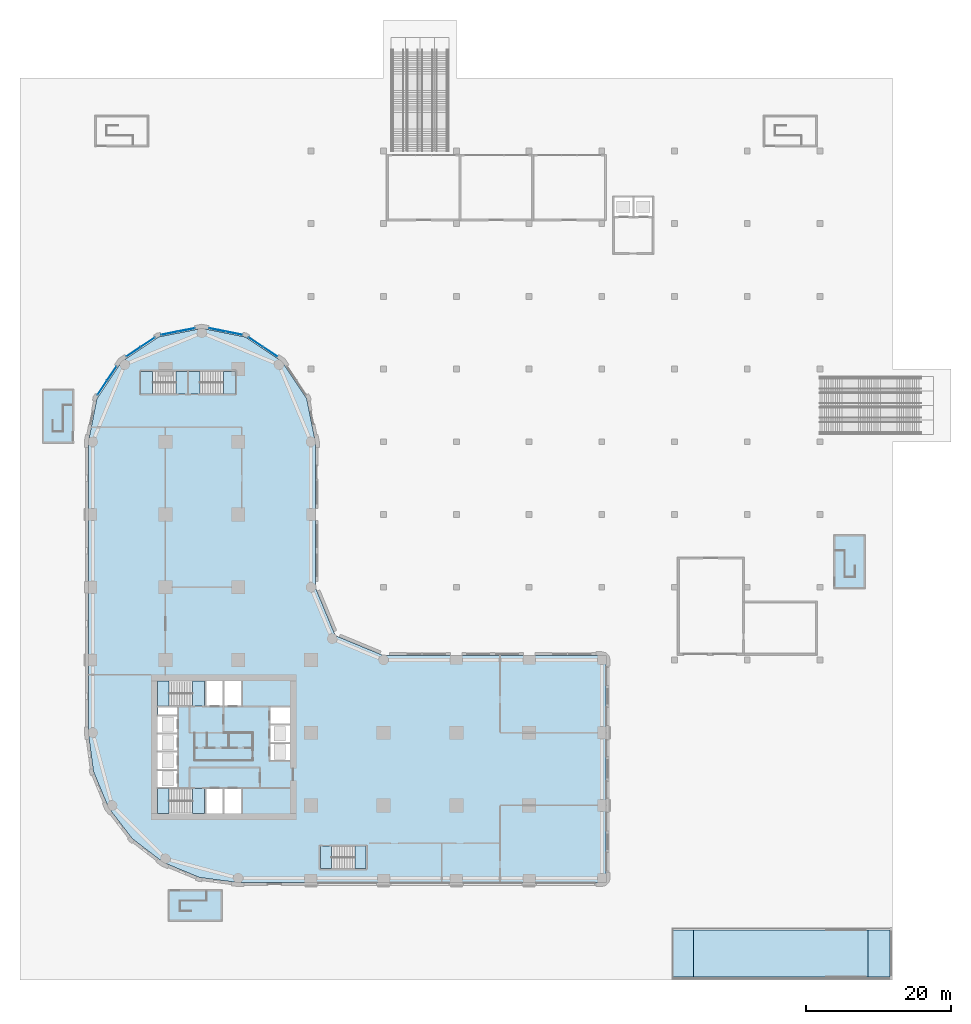
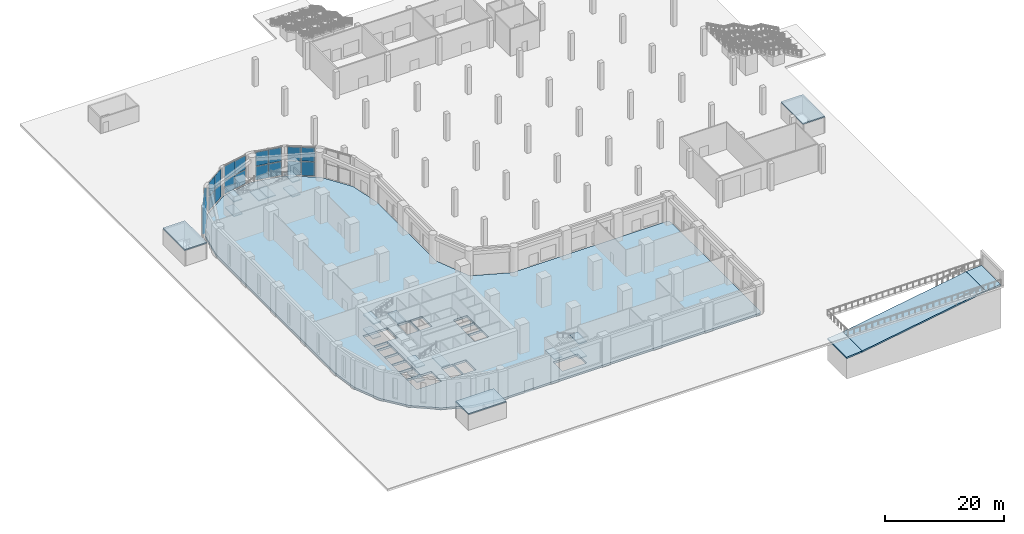
# One storey, part 4 of 21: 22 slabs, 20 plates, 10 elements without a shape of their own.
"""IFC4 building model written with IfcOpenShell, lengths in metres."""

import ifcopenshell
import ifcopenshell.guid

model = None  # the IFC model being written
_history = None  # IfcOwnerHistory: only IFC2X3 demands one
_inside = {}  # id of a spatial element -> (the spatial element, [elements in it])
_under = {}  # id of a project, library or spatial element -> (it, [spatial elements below it])
_declared = {}  # id of a project -> (the project, [libraries it declares])
_typed = {}  # id of a type object -> (the type object, [elements of that type])
_made_of = {}  # id of a material, layer set ... -> (it, [elements and type objects made of it])


def new_model(schema):
    """Start an empty IFC model of exactly this schema.

    Asked for "IFC4X3", IfcOpenShell would pick the latest addendum, in which some entities
    have other attributes; the version numbers below select the first issue.
    IFC2X3 requires an IfcOwnerHistory on every rooted entity: one is made here for all.
    """
    global model, _history
    if schema == "IFC4X3":
        model = ifcopenshell.file(schema_version=(4, 3, 0, 0))
    else:
        model = ifcopenshell.file(schema=schema)
    _inside.clear()
    _under.clear()
    _declared.clear()
    _typed.clear()
    _made_of.clear()
    _history = None
    if model.schema == "IFC2X3":
        org = make("IfcOrganization", Name="unknown")
        user = make(
            "IfcPersonAndOrganization",
            ThePerson=make("IfcPerson", FamilyName="unknown"),
            TheOrganization=org,
        )
        app = make(
            "IfcApplication",
            ApplicationDeveloper=org,
            Version="unknown",
            ApplicationFullName="unknown",
            ApplicationIdentifier="unknown",
        )
        _history = make(
            "IfcOwnerHistory",
            OwningUser=user,
            OwningApplication=app,
            ChangeAction="ADDED",
            CreationDate=0,
        )
    return model


def make(cls, **values):
    """One entity of the class cls with the attributes given. An attribute that is None is left unset."""
    return model.create_entity(
        cls, **{name: value for name, value in values.items() if value is not None}
    )


def rooted(cls, **values):
    """An entity with a GlobalId (a new one), such as an element, a storey or a relation."""
    return make(cls, GlobalId=ifcopenshell.guid.new(), OwnerHistory=_history, **values)


def si_unit(unit_type, name, prefix=None):
    """IfcSIUnit, for example si_unit("LENGTHUNIT", "METRE", prefix="MILLI")."""
    return make("IfcSIUnit", UnitType=unit_type, Prefix=prefix, Name=name)


def assignment(units):
    """IfcUnitAssignment: the units of a project."""
    return None if units is None else make("IfcUnitAssignment", Units=units)


def point(xyz):
    """IfcCartesianPoint."""
    return None if xyz is None else make("IfcCartesianPoint", Coordinates=xyz)


def direction(xyz):
    """IfcDirection."""
    return None if xyz is None else make("IfcDirection", DirectionRatios=xyz)


def frame(location, z_axis=None, x_axis=None):
    """IfcAxis2Placement3D, a coordinate frame: its origin and axes. An axis left out is left unset."""
    return make(
        "IfcAxis2Placement3D",
        Location=point(location),
        Axis=direction(z_axis),
        RefDirection=direction(x_axis),
    )


def frame_2d(location, x_axis=None):
    """IfcAxis2Placement2D, a coordinate frame in the plane: its origin and x axis."""
    return make(
        "IfcAxis2Placement2D", Location=point(location), RefDirection=direction(x_axis)
    )


def origin():
    """The frame at (0, 0, 0) with its axes left unset."""
    return frame((0.0, 0.0, 0.0))


def origin_2d():
    """The frame at (0, 0) in the plane with its x axis left unset."""
    return frame_2d((0.0, 0.0))


def place(relative_to, where):
    """IfcLocalPlacement: puts the frame where relative to a parent placement (None: the world)."""
    return make(
        "IfcLocalPlacement", PlacementRelTo=relative_to, RelativePlacement=where
    )


def context(
    kind, dimensions, precision=None, world=None, true_north=None, identifier=None
):
    """IfcGeometricRepresentationContext, for example the 3D "Model" context."""
    return make(
        "IfcGeometricRepresentationContext",
        ContextIdentifier=identifier,
        ContextType=kind,
        CoordinateSpaceDimension=dimensions,
        Precision=precision,
        WorldCoordinateSystem=world,
        TrueNorth=true_north,
    )


def subcontext(parent, identifier, kind, view, scale=None):
    """IfcGeometricRepresentationSubContext, for example "Body" below "Model"."""
    return make(
        "IfcGeometricRepresentationSubContext",
        ContextIdentifier=identifier,
        ContextType=kind,
        ParentContext=parent,
        TargetScale=scale,
        TargetView=view,
    )


def project(units=None, contexts=None):
    """IfcProject with its units and contexts."""
    return rooted(
        "IfcProject",
        Name="project",
        RepresentationContexts=contexts,
        UnitsInContext=assignment(units),
    )


def spatial(cls, under=None, at=None, **own):
    """A site, building, storey or space (cls), placed at a placement, below another one or the project."""
    s = rooted(cls, ObjectPlacement=at, **own)
    if under is not None:
        _under.setdefault(under.id(), (under, []))[1].append(s)
    return s


def polyline(points):
    """IfcPolyline through the points."""
    return make("IfcPolyline", Points=[point(p) for p in points])


def profile(cls, at=None, kind="AREA", **sizes):
    """A parametric profile (cls). Its sizes go by their IFC names, for example OverallWidth=200.0."""
    return make(cls, ProfileType=kind, Position=at, **sizes)


def rectangle(**sizes):
    """IfcRectangleProfileDef."""
    return profile("IfcRectangleProfileDef", **sizes)


def outline(outer, holes=None, kind="AREA"):
    """IfcArbitraryClosedProfileDef: a profile drawn as a closed curve; with holes, ...WithVoids."""
    if holes is None:
        return make("IfcArbitraryClosedProfileDef", ProfileType=kind, OuterCurve=outer)
    return make(
        "IfcArbitraryProfileDefWithVoids",
        ProfileType=kind,
        OuterCurve=outer,
        InnerCurves=holes,
    )


def extrude(swept, where, along, depth):
    """IfcExtrudedAreaSolid: the profile swept, set in the frame where, extruded along a direction by depth."""
    return make(
        "IfcExtrudedAreaSolid",
        SweptArea=swept,
        Position=where,
        ExtrudedDirection=direction(along),
        Depth=depth,
    )


def shape(context_of_items, identifier, shape_type, items):
    """IfcShapeRepresentation: the items that make up one representation, for example the "Body"."""
    return make(
        "IfcShapeRepresentation",
        ContextOfItems=context_of_items,
        RepresentationIdentifier=identifier,
        RepresentationType=shape_type,
        Items=items,
    )


def material(Name=None, Category=None):
    """IfcMaterial."""
    return make("IfcMaterial", Name=Name, Category=Category)


def layer(
    of_material, thickness, ventilated=None, Name=None, Category=None, Priority=None
):
    """IfcMaterialLayer: one layer of a wall or slab, of a material (None: an air gap)."""
    return make(
        "IfcMaterialLayer",
        Material=of_material,
        LayerThickness=thickness,
        IsVentilated=ventilated,
        Name=Name,
        Category=Category,
        Priority=Priority,
    )


def layer_set(layers, Name=None):
    """IfcMaterialLayerSet."""
    return make("IfcMaterialLayerSet", MaterialLayers=layers, LayerSetName=Name)


def made_of(thing, what):
    """Note that an element or type object is made of a material, layer set ...; save() writes the relation."""
    if what is not None:
        _made_of.setdefault(what.id(), (what, []))[1].append(thing)
    return thing


def type_object(cls, material=None, **own):
    """A type object (cls), such as IfcWallType, which elements share."""
    return made_of(rooted(cls, **own), material)


def element(
    cls,
    number,
    at=None,
    inside=None,
    cuts=None,
    type_object=None,
    material=None,
    context=None,
    identifier="Body",
    shape_type=None,
    held_by="IfcProductDefinitionShape",
    body=None,
    shapes=None,
    **own,
):
    """One element of the class cls, such as IfcWall. Its Tag is "e" and its number.

    at: its placement. inside: the storey or other place that contains it. cuts: it is an
    opening in that element (IfcRelVoidsElement). A single representation is given by context,
    identifier, shape_type and body (its items); several are given by shapes. held_by: the class
    of the entity that holds the representations. save() writes the other relations.
    """
    e = rooted(cls, Tag="e%d" % number, ObjectPlacement=at, **own)
    if body is not None:
        shapes = [shape(context, identifier, shape_type, body)]
    if shapes is not None:
        e.Representation = make(held_by, Representations=shapes)
    if inside is not None:
        _inside.setdefault(inside.id(), (inside, []))[1].append(e)
    if cuts is not None:
        rooted(
            "IfcRelVoidsElement", RelatingBuildingElement=cuts, RelatedOpeningElement=e
        )
    if type_object is not None:
        _typed.setdefault(type_object.id(), (type_object, []))[1].append(e)
    return made_of(e, material)


def aggregate(whole, parts):
    """IfcRelAggregates: a whole, such as a stair, and the parts it consists of."""
    return rooted("IfcRelAggregates", RelatingObject=whole, RelatedObjects=parts)


def save(model, path):
    """Write the relations noted so far, then the file.

    IfcRelAggregates (storeys below a building ...), IfcRelContainedInSpatialStructure (elements
    in a storey), IfcRelDefinesByType, IfcRelAssociatesMaterial and IfcRelDeclares: one each for
    every whole, place, type object, material and project.
    """
    for whole, parts in _under.values():
        aggregate(whole, parts)
    for where, things in _inside.values():
        rooted(
            "IfcRelContainedInSpatialStructure",
            RelatedElements=things,
            RelatingStructure=where,
        )
    for kind, things in _typed.values():
        rooted("IfcRelDefinesByType", RelatedObjects=things, RelatingType=kind)
    for what, things in _made_of.values():
        rooted("IfcRelAssociatesMaterial", RelatedObjects=things, RelatingMaterial=what)
    for by, libraries in _declared.values():
        rooted("IfcRelDeclares", RelatingContext=by, RelatedDefinitions=libraries)
    model.write(path)


model = new_model("IFC4")

# Units and contexts
model_context = context("Model", 3, precision=1e-05, world=origin(), true_north=direction((0.0, 1.0)))
body_context = subcontext(model_context, "Body", "Model", "MODEL_VIEW")
ifc_project = project(units=[si_unit("LENGTHUNIT", "METRE"), si_unit("AREAUNIT", "SQUARE_METRE"), si_unit("VOLUMEUNIT", "CUBIC_METRE"), si_unit("PLANEANGLEUNIT", "RADIAN"), si_unit("MASSUNIT", "GRAM", prefix="KILO")], contexts=[model_context])

# Site, building, storey
site_placement = place(None, origin())
site = spatial("IfcSite", under=ifc_project, at=site_placement, CompositionType="ELEMENT")
building_placement = place(site_placement, origin())
building = spatial("IfcBuilding", under=site, at=building_placement, Name="Qaws Garden Tower", CompositionType="ELEMENT")
storey_placement = place(building_placement, origin())
storey = spatial("IfcBuildingStorey", under=building, at=storey_placement, Name="L00", CompositionType="ELEMENT", Elevation=0.0)

# Curtain wall, plates
ifc_material_1 = material(Name="Anodised aluminium curtain wall frame", Category="aluminium")
ifc_layer_1 = layer(ifc_material_1, 0.159912109375)
ifc_layer_set_1 = layer_set([ifc_layer_1], Name="Anodised aluminium curtain wall frame")
curtain_wall_type = type_object("IfcCurtainWallType", Name="CW1 street shopfront curtain wall", PredefinedType="NOTDEFINED", material=ifc_layer_set_1)
placement_1 = place(storey_placement, origin())
curtain_wall_1 = element("IfcCurtainWall", 1, at=placement_1, inside=storey, type_object=curtain_wall_type, Name="CW1 Street shopfront 17", PredefinedType="NOTDEFINED")
ifc_material_2 = material(Name="Clear laminated glass", Category="glass")
ifc_layer_2 = layer(ifc_material_2, 0.031982421875)
ifc_layer_set_2 = layer_set([ifc_layer_2], Name="Clear laminated glass")
plate_type = type_object("IfcPlateType", Name="CW1 glass panel 32", PredefinedType="CURTAIN_PANEL", material=ifc_layer_set_2)
plate_1_placement = place(storey_placement, frame((24.385498046875, 72.384765625, 0.1201171875), z_axis=(0.0, 0.0, 1.0), x_axis=(-0.831469612206, 0.555570233165, 0.0)))
plate_1 = element("IfcPlate", 2, at=plate_1_placement, type_object=plate_type, Name="CW1 panel 1.1", PredefinedType="CURTAIN_PANEL", context=body_context, shape_type="SweptSolid", body=[
    extrude(rectangle(XDim=2.286376953125, YDim=0.031982421875, at=origin_2d()), origin(), (0.0, 0.0, 1.0), 2.820068359375),
])
plate_2_placement = place(storey_placement, frame((24.385498046875, 72.384765625, 3.06005859375), z_axis=(0.0, 0.0, 1.0), x_axis=(-0.831469612206, 0.555570233165, 0.0)))
plate_2 = element("IfcPlate", 3, at=plate_2_placement, type_object=plate_type, Name="CW1 panel 1.2", PredefinedType="CURTAIN_PANEL", context=body_context, shape_type="SweptSolid", body=[
    extrude(rectangle(XDim=2.286376953125, YDim=0.031982421875, at=origin_2d()), origin(), (0.0, 0.0, 1.0), 2.820068359375),
])
plate_3_placement = place(storey_placement, frame((22.4345703125, 73.688232421875, 0.1201171875), z_axis=(0.0, 0.0, 1.0), x_axis=(-0.831469612206, 0.555570233165, 0.0)))
plate_3 = element("IfcPlate", 4, at=plate_3_placement, type_object=plate_type, Name="CW1 panel 2.1", PredefinedType="CURTAIN_PANEL", context=body_context, shape_type="SweptSolid", body=[
    extrude(rectangle(XDim=2.286376953125, YDim=0.031982421875, at=origin_2d()), origin(), (0.0, 0.0, 1.0), 2.820068359375),
])
plate_4_placement = place(storey_placement, frame((22.4345703125, 73.688232421875, 3.06005859375), z_axis=(0.0, 0.0, 1.0), x_axis=(-0.831469612206, 0.555570233165, 0.0)))
plate_4 = element("IfcPlate", 5, at=plate_4_placement, type_object=plate_type, Name="CW1 panel 2.2", PredefinedType="CURTAIN_PANEL", context=body_context, shape_type="SweptSolid", body=[
    extrude(rectangle(XDim=2.286376953125, YDim=0.031982421875, at=origin_2d()), origin(), (0.0, 0.0, 1.0), 2.820068359375),
])
aggregate(curtain_wall_1, [plate_1, plate_2, plate_3, plate_4])

curtain_wall_2 = element("IfcCurtainWall", 6, at=placement_1, inside=storey, type_object=curtain_wall_type, Name="CW1 Street shopfront 18", PredefinedType="NOTDEFINED")
plate_5_placement = place(storey_placement, frame((19.422119140625, 74.93603515625, 0.1201171875), z_axis=(0.0, 0.0, 1.0), x_axis=(-0.980785280407, 0.195090321999, 0.0)))
plate_5 = element("IfcPlate", 7, at=plate_5_placement, type_object=plate_type, Name="CW1 panel 1.1", PredefinedType="CURTAIN_PANEL", context=body_context, shape_type="SweptSolid", body=[
    extrude(rectangle(XDim=2.286376953125, YDim=0.031982421875, at=origin_2d()), origin(), (0.0, 0.0, 1.0), 2.820068359375),
])
plate_6_placement = place(storey_placement, frame((19.422119140625, 74.93603515625, 3.06005859375), z_axis=(0.0, 0.0, 1.0), x_axis=(-0.980785280407, 0.195090321999, 0.0)))
plate_6 = element("IfcPlate", 8, at=plate_6_placement, type_object=plate_type, Name="CW1 panel 1.2", PredefinedType="CURTAIN_PANEL", context=body_context, shape_type="SweptSolid", body=[
    extrude(rectangle(XDim=2.286376953125, YDim=0.031982421875, at=origin_2d()), origin(), (0.0, 0.0, 1.0), 2.820068359375),
])
plate_7_placement = place(storey_placement, frame((17.120849609375, 75.393798828125, 0.1201171875), z_axis=(0.0, 0.0, 1.0), x_axis=(-0.980785280407, 0.195090321999, 0.0)))
plate_7 = element("IfcPlate", 9, at=plate_7_placement, type_object=plate_type, Name="CW1 panel 2.1", PredefinedType="CURTAIN_PANEL", context=body_context, shape_type="SweptSolid", body=[
    extrude(rectangle(XDim=2.286376953125, YDim=0.031982421875, at=origin_2d()), origin(), (0.0, 0.0, 1.0), 2.820068359375),
])
plate_8_placement = place(storey_placement, frame((17.120849609375, 75.393798828125, 3.06005859375), z_axis=(0.0, 0.0, 1.0), x_axis=(-0.980785280407, 0.195090321999, 0.0)))
plate_8 = element("IfcPlate", 10, at=plate_8_placement, type_object=plate_type, Name="CW1 panel 2.2", PredefinedType="CURTAIN_PANEL", context=body_context, shape_type="SweptSolid", body=[
    extrude(rectangle(XDim=2.286376953125, YDim=0.031982421875, at=origin_2d()), origin(), (0.0, 0.0, 1.0), 2.820068359375),
])
aggregate(curtain_wall_2, [plate_5, plate_6, plate_7, plate_8])

curtain_wall_3 = element("IfcCurtainWall", 11, at=placement_1, inside=storey, type_object=curtain_wall_type, Name="CW1 Street shopfront 19", PredefinedType="NOTDEFINED")
plate_9_placement = place(storey_placement, frame((12.879150390625, 75.393798828125, 0.1201171875), z_axis=(0.0, 0.0, 1.0), x_axis=(-0.980785280407, -0.195090321999, 0.0)))
plate_9 = element("IfcPlate", 12, at=plate_9_placement, type_object=plate_type, Name="CW1 panel 1.1", PredefinedType="CURTAIN_PANEL", context=body_context, shape_type="SweptSolid", body=[
    extrude(rectangle(XDim=2.286376953125, YDim=0.031982421875, at=origin_2d()), origin(), (0.0, 0.0, 1.0), 2.820068359375),
])
plate_10_placement = place(storey_placement, frame((12.879150390625, 75.393798828125, 3.06005859375), z_axis=(0.0, 0.0, 1.0), x_axis=(-0.980785280407, -0.195090321999, 0.0)))
plate_10 = element("IfcPlate", 13, at=plate_10_placement, type_object=plate_type, Name="CW1 panel 1.2", PredefinedType="CURTAIN_PANEL", context=body_context, shape_type="SweptSolid", body=[
    extrude(rectangle(XDim=2.286376953125, YDim=0.031982421875, at=origin_2d()), origin(), (0.0, 0.0, 1.0), 2.820068359375),
])
plate_11_placement = place(storey_placement, frame((10.577880859375, 74.93603515625, 0.1201171875), z_axis=(0.0, 0.0, 1.0), x_axis=(-0.980785280407, -0.195090321999, 0.0)))
plate_11 = element("IfcPlate", 14, at=plate_11_placement, type_object=plate_type, Name="CW1 panel 2.1", PredefinedType="CURTAIN_PANEL", context=body_context, shape_type="SweptSolid", body=[
    extrude(rectangle(XDim=2.286376953125, YDim=0.031982421875, at=origin_2d()), origin(), (0.0, 0.0, 1.0), 2.820068359375),
])
plate_12_placement = place(storey_placement, frame((10.577880859375, 74.93603515625, 3.06005859375), z_axis=(0.0, 0.0, 1.0), x_axis=(-0.980785280407, -0.195090321999, 0.0)))
plate_12 = element("IfcPlate", 15, at=plate_12_placement, type_object=plate_type, Name="CW1 panel 2.2", PredefinedType="CURTAIN_PANEL", context=body_context, shape_type="SweptSolid", body=[
    extrude(rectangle(XDim=2.286376953125, YDim=0.031982421875, at=origin_2d()), origin(), (0.0, 0.0, 1.0), 2.820068359375),
])
aggregate(curtain_wall_3, [plate_9, plate_10, plate_11, plate_12])

curtain_wall_4 = element("IfcCurtainWall", 16, at=placement_1, inside=storey, type_object=curtain_wall_type, Name="CW1 Street shopfront 20", PredefinedType="NOTDEFINED")
plate_13_placement = place(storey_placement, frame((7.5654296875, 73.688232421875, 0.1201171875), z_axis=(0.0, 0.0, 1.0), x_axis=(-0.831469612206, -0.555570233165, 0.0)))
plate_13 = element("IfcPlate", 17, at=plate_13_placement, type_object=plate_type, Name="CW1 panel 1.1", PredefinedType="CURTAIN_PANEL", context=body_context, shape_type="SweptSolid", body=[
    extrude(rectangle(XDim=2.286376953125, YDim=0.031982421875, at=origin_2d()), origin(), (0.0, 0.0, 1.0), 2.820068359375),
])
plate_14_placement = place(storey_placement, frame((7.5654296875, 73.688232421875, 3.06005859375), z_axis=(0.0, 0.0, 1.0), x_axis=(-0.831469612206, -0.555570233165, 0.0)))
plate_14 = element("IfcPlate", 18, at=plate_14_placement, type_object=plate_type, Name="CW1 panel 1.2", PredefinedType="CURTAIN_PANEL", context=body_context, shape_type="SweptSolid", body=[
    extrude(rectangle(XDim=2.286376953125, YDim=0.031982421875, at=origin_2d()), origin(), (0.0, 0.0, 1.0), 2.820068359375),
])
plate_15_placement = place(storey_placement, frame((5.614501953125, 72.384765625, 0.1201171875), z_axis=(0.0, 0.0, 1.0), x_axis=(-0.831469612206, -0.555570233165, 0.0)))
plate_15 = element("IfcPlate", 19, at=plate_15_placement, type_object=plate_type, Name="CW1 panel 2.1", PredefinedType="CURTAIN_PANEL", context=body_context, shape_type="SweptSolid", body=[
    extrude(rectangle(XDim=2.286376953125, YDim=0.031982421875, at=origin_2d()), origin(), (0.0, 0.0, 1.0), 2.820068359375),
])
plate_16_placement = place(storey_placement, frame((5.614501953125, 72.384765625, 3.06005859375), z_axis=(0.0, 0.0, 1.0), x_axis=(-0.831469612206, -0.555570233165, 0.0)))
plate_16 = element("IfcPlate", 20, at=plate_16_placement, type_object=plate_type, Name="CW1 panel 2.2", PredefinedType="CURTAIN_PANEL", context=body_context, shape_type="SweptSolid", body=[
    extrude(rectangle(XDim=2.286376953125, YDim=0.031982421875, at=origin_2d()), origin(), (0.0, 0.0, 1.0), 2.820068359375),
])
aggregate(curtain_wall_4, [plate_13, plate_14, plate_15, plate_16])

curtain_wall_5 = element("IfcCurtainWall", 21, at=placement_1, inside=storey, type_object=curtain_wall_type, Name="CW1 Street shopfront 21", PredefinedType="NOTDEFINED")
plate_17_placement = place(storey_placement, frame((2.615234375, 69.385498046875, 0.1201171875), z_axis=(0.0, 0.0, 1.0), x_axis=(-0.555570233165, -0.831469612206, 0.0)))
plate_17 = element("IfcPlate", 22, at=plate_17_placement, type_object=plate_type, Name="CW1 panel 1.1", PredefinedType="CURTAIN_PANEL", context=body_context, shape_type="SweptSolid", body=[
    extrude(rectangle(XDim=2.286376953125, YDim=0.031982421875, at=origin_2d()), origin(), (0.0, 0.0, 1.0), 2.820068359375),
])
plate_18_placement = place(storey_placement, frame((2.615234375, 69.385498046875, 3.06005859375), z_axis=(0.0, 0.0, 1.0), x_axis=(-0.555570233165, -0.831469612206, 0.0)))
plate_18 = element("IfcPlate", 23, at=plate_18_placement, type_object=plate_type, Name="CW1 panel 1.2", PredefinedType="CURTAIN_PANEL", context=body_context, shape_type="SweptSolid", body=[
    extrude(rectangle(XDim=2.286376953125, YDim=0.031982421875, at=origin_2d()), origin(), (0.0, 0.0, 1.0), 2.820068359375),
])
plate_19_placement = place(storey_placement, frame((1.311767578125, 67.4345703125, 0.1201171875), z_axis=(0.0, 0.0, 1.0), x_axis=(-0.555570233165, -0.831469612206, 0.0)))
plate_19 = element("IfcPlate", 24, at=plate_19_placement, type_object=plate_type, Name="CW1 panel 2.1", PredefinedType="CURTAIN_PANEL", context=body_context, shape_type="SweptSolid", body=[
    extrude(rectangle(XDim=2.286376953125, YDim=0.031982421875, at=origin_2d()), origin(), (0.0, 0.0, 1.0), 2.820068359375),
])
plate_20_placement = place(storey_placement, frame((1.311767578125, 67.4345703125, 3.06005859375), z_axis=(0.0, 0.0, 1.0), x_axis=(-0.555570233165, -0.831469612206, 0.0)))
plate_20 = element("IfcPlate", 25, at=plate_20_placement, type_object=plate_type, Name="CW1 panel 2.2", PredefinedType="CURTAIN_PANEL", context=body_context, shape_type="SweptSolid", body=[
    extrude(rectangle(XDim=2.286376953125, YDim=0.031982421875, at=origin_2d()), origin(), (0.0, 0.0, 1.0), 2.820068359375),
])
aggregate(curtain_wall_5, [plate_17, plate_18, plate_19, plate_20])

# Slabs
ifc_material_3 = material(Name="Concrete C45", Category="concrete")
ifc_layer_3 = layer(ifc_material_3, 0.449951171875)
ifc_layer_set_3 = layer_set([ifc_layer_3], Name="Concrete C45")
slab_type_1 = type_object("IfcSlabType", Name="Floor slab 450 C45", PredefinedType="FLOOR", material=ifc_layer_set_3)
slab_1_placement = place(storey_placement, frame((0.0, 0.0, -0.449951171875)))
element("IfcSlab", 26, at=slab_1_placement, inside=storey, type_object=slab_type_1, Name="Floor slab L00", PredefinedType="FLOOR", context=body_context, shape_type="SweptSolid", body=[
    extrude(outline(polyline([(0.101806640625, 14.668212890625), (-0.60009765625, 20.0), (-0.60009765625, 30.60009765625), (-0.60009765625, 60.0), (-0.60009765625, 60.0), (0.58740234375, 65.969970703125), (3.968994140625, 71.031005859375), (9.030029296875, 74.41259765625), (15.0, 75.60009765625), (20.969970703125, 74.41259765625), (26.031005859375, 71.031005859375), (29.41259765625, 65.969970703125), (30.60009765625, 60.0), (30.60009765625, 40.0), (33.353271484375, 33.353271484375), (40.0, 30.60009765625), (70.0, 30.60009765625), (70.42431640625, 30.42431640625), (70.60009765625, 30.0), (70.60009765625, 0.0), (70.42431640625, -0.42431640625), (70.0, -0.60009765625), (30.60009765625, -0.60009765625), (20.0, -0.60009765625), (14.668212890625, 0.101806640625), (9.699951171875, 2.159912109375), (5.43359375, 5.43359375), (2.159912109375, 9.699951171875), (0.101806640625, 14.668212890625)]), holes=[polyline([(8.89990234375, 12.300048828125), (8.89990234375, 8.89990234375), (13.699462890625, 8.89990234375), (13.699462890625, 12.300048828125), (8.89990234375, 12.300048828125)]), polyline([(17.89990234375, 12.300048828125), (15.60009765625, 12.300048828125), (15.60009765625, 8.89990234375), (17.89990234375, 8.89990234375), (17.89990234375, 12.300048828125)]), polyline([(11.60009765625, 14.800048828125), (8.89990234375, 14.800048828125), (8.89990234375, 12.5), (11.60009765625, 12.5), (11.60009765625, 14.800048828125)]), polyline([(11.60009765625, 17.300048828125), (8.89990234375, 17.300048828125), (8.89990234375, 15.0), (11.60009765625, 15.0), (11.60009765625, 17.300048828125)]), polyline([(11.60009765625, 19.800048828125), (8.89990234375, 19.800048828125), (8.89990234375, 17.5), (11.60009765625, 17.5), (11.60009765625, 19.800048828125)]), polyline([(11.60009765625, 22.300048828125), (8.89990234375, 22.300048828125), (8.89990234375, 20.0), (11.60009765625, 20.0), (11.60009765625, 22.300048828125)]), polyline([(11.60009765625, 23.5), (9.0, 23.5), (9.0, 22.5), (11.60009765625, 22.5), (11.60009765625, 23.5)]), polyline([(13.699462890625, 27.10009765625), (8.89990234375, 27.10009765625), (8.89990234375, 23.699951171875), (13.699462890625, 23.699951171875), (13.699462890625, 27.10009765625)]), polyline([(37.60009765625, 4.39990234375), (32.8505859375, 4.39990234375), (32.8505859375, 1.300048828125), (37.60009765625, 1.300048828125), (37.60009765625, 4.39990234375)]), polyline([(20.39990234375, 12.300048828125), (18.10009765625, 12.300048828125), (18.10009765625, 8.89990234375), (20.39990234375, 8.89990234375), (20.39990234375, 12.300048828125)]), polyline([(27.10009765625, 18.5), (24.39990234375, 18.5), (24.39990234375, 16.199951171875), (27.10009765625, 16.199951171875), (27.10009765625, 18.5)]), polyline([(27.10009765625, 21.0), (24.39990234375, 21.0), (24.39990234375, 18.699951171875), (27.10009765625, 18.699951171875), (27.10009765625, 21.0)]), polyline([(27.10009765625, 23.5), (24.39990234375, 23.5), (24.39990234375, 21.199951171875), (27.10009765625, 21.199951171875), (27.10009765625, 23.5)]), polyline([(17.89990234375, 27.10009765625), (15.60009765625, 27.10009765625), (15.60009765625, 23.699951171875), (17.89990234375, 23.699951171875), (17.89990234375, 27.10009765625)]), polyline([(20.39990234375, 27.10009765625), (18.10009765625, 27.10009765625), (18.10009765625, 23.699951171875), (20.39990234375, 23.699951171875), (20.39990234375, 27.10009765625)])]), origin(), (0.0, 0.0, 1.0), 0.449951171875),
])
ifc_material_4 = material(Name="Concrete C40", Category="concrete")
ifc_layer_4 = layer(ifc_material_4, 0.25)
ifc_layer_set_4 = layer_set([ifc_layer_4], Name="Concrete C40")
slab_type_2 = type_object("IfcSlabType", Name="Pavilion roof 250", PredefinedType="ROOF", material=ifc_layer_set_4)
placement_2 = place(storey_placement, frame((0.0, 0.0, 3.199951171875)))
element("IfcSlab", 27, at=placement_2, inside=storey, type_object=slab_type_2, Name="Stair E1 headhouse roof", PredefinedType="ROOF", context=body_context, shape_type="SweptSolid", body=[
    extrude(outline(polyline([(101.89990234375, 39.800048828125), (106.199951171875, 39.800048828125), (106.199951171875, 47.199951171875), (101.89990234375, 47.199951171875), (101.89990234375, 39.800048828125)])), origin(), (0.0, 0.0, 1.0), 0.25),
])
element("IfcSlab", 28, at=placement_2, inside=storey, type_object=slab_type_2, Name="Stair W1 headhouse roof", PredefinedType="ROOF", context=body_context, shape_type="SweptSolid", body=[
    extrude(outline(polyline([(-6.89990234375, 59.800048828125), (-2.60009765625, 59.800048828125), (-2.60009765625, 67.199951171875), (-6.89990234375, 67.199951171875), (-6.89990234375, 59.800048828125)])), origin(), (0.0, 0.0, 1.0), 0.25),
])
element("IfcSlab", 29, at=placement_2, inside=storey, type_object=slab_type_2, Name="Stair S1 headhouse roof", PredefinedType="ROOF", context=body_context, shape_type="SweptSolid", body=[
    extrude(outline(polyline([(10.39990234375, -5.89990234375), (17.800048828125, -5.89990234375), (17.800048828125, -1.60009765625), (10.39990234375, -1.60009765625), (10.39990234375, -5.89990234375)])), origin(), (0.0, 0.0, 1.0), 0.25),
])

# Stair, slabs
ifc_material_5 = material(Name="Concrete C40", Category="concrete")
stair_type_1 = type_object("IfcStairType", Name="Exit stair 1500", PredefinedType="HALF_TURN_STAIR", material=ifc_material_5)
stair_1 = element("IfcStair", 30, at=placement_1, inside=storey, type_object=stair_type_1, Name="Stair 1", PredefinedType="HALF_TURN_STAIR")
ifc_material_6 = material(Name="Concrete C40", Category="concrete")
ifc_layer_5 = layer(ifc_material_6, 0.199951171875)
ifc_layer_set_5 = layer_set([ifc_layer_5], Name="Concrete C40")
slab_type_3 = type_object("IfcSlabType", Name="Stair landing 200", PredefinedType="LANDING", material=ifc_layer_set_5)
placement_3 = place(storey_placement, frame((0.0, 0.0, 1.300048828125)))
slab_5 = element("IfcSlab", 31, at=placement_3, type_object=slab_type_3, Name="ST1 landing 1", PredefinedType="LANDING", context=body_context, shape_type="SweptSolid", body=[
    extrude(outline(polyline([(8.89990234375, 8.89990234375), (10.49609375, 8.89990234375), (10.49609375, 12.300048828125), (8.89990234375, 12.300048828125), (8.89990234375, 8.89990234375)])), origin(), (0.0, 0.0, 1.0), 0.199951171875),
])
placement_4 = place(storey_placement, frame((0.0, 0.0, 2.800048828125)))
slab_6 = element("IfcSlab", 32, at=placement_4, type_object=slab_type_3, Name="ST1 landing 2", PredefinedType="LANDING", context=body_context, shape_type="SweptSolid", body=[
    extrude(outline(polyline([(13.699951171875, 8.89990234375), (15.39990234375, 8.89990234375), (15.39990234375, 12.300048828125), (13.699951171875, 12.300048828125), (13.699951171875, 8.89990234375)])), origin(), (0.0, 0.0, 1.0), 0.199951171875),
])
placement_5 = place(storey_placement, frame((0.0, 0.0, 4.300048828125)))
slab_7 = element("IfcSlab", 33, at=placement_5, type_object=slab_type_3, Name="ST1 landing 3", PredefinedType="LANDING", context=body_context, shape_type="SweptSolid", body=[
    extrude(outline(polyline([(8.89990234375, 8.89990234375), (10.49609375, 8.89990234375), (10.49609375, 12.300048828125), (8.89990234375, 12.300048828125), (8.89990234375, 8.89990234375)])), origin(), (0.0, 0.0, 1.0), 0.199951171875),
])
aggregate(stair_1, [slab_5, slab_6, slab_7])

stair_2 = element("IfcStair", 34, at=placement_1, inside=storey, type_object=stair_type_1, Name="Stair 4", PredefinedType="HALF_TURN_STAIR")
slab_8 = element("IfcSlab", 35, at=placement_3, type_object=slab_type_3, Name="ST4 landing 1", PredefinedType="LANDING", context=body_context, shape_type="SweptSolid", body=[
    extrude(outline(polyline([(8.89990234375, 23.699951171875), (10.49609375, 23.699951171875), (10.49609375, 27.10009765625), (8.89990234375, 27.10009765625), (8.89990234375, 23.699951171875)])), origin(), (0.0, 0.0, 1.0), 0.199951171875),
])
slab_9 = element("IfcSlab", 36, at=placement_4, type_object=slab_type_3, Name="ST4 landing 2", PredefinedType="LANDING", context=body_context, shape_type="SweptSolid", body=[
    extrude(outline(polyline([(13.699951171875, 23.699951171875), (15.39990234375, 23.699951171875), (15.39990234375, 27.10009765625), (13.699951171875, 27.10009765625), (13.699951171875, 23.699951171875)])), origin(), (0.0, 0.0, 1.0), 0.199951171875),
])
slab_10 = element("IfcSlab", 37, at=placement_5, type_object=slab_type_3, Name="ST4 landing 3", PredefinedType="LANDING", context=body_context, shape_type="SweptSolid", body=[
    extrude(outline(polyline([(8.89990234375, 23.699951171875), (10.49609375, 23.699951171875), (10.49609375, 27.10009765625), (8.89990234375, 27.10009765625), (8.89990234375, 23.699951171875)])), origin(), (0.0, 0.0, 1.0), 0.199951171875),
])
aggregate(stair_2, [slab_8, slab_9, slab_10])

ifc_material_7 = material(Name="Concrete C40", Category="concrete")
stair_type_2 = type_object("IfcStairType", Name="Exit stair 1350", PredefinedType="HALF_TURN_STAIR", material=ifc_material_7)
stair_3 = element("IfcStair", 38, at=placement_1, inside=storey, type_object=stair_type_2, Name="Stair 5", PredefinedType="HALF_TURN_STAIR")
slab_11 = element("IfcSlab", 39, at=placement_3, type_object=slab_type_3, Name="ST5 landing 1", PredefinedType="LANDING", context=body_context, shape_type="SweptSolid", body=[
    extrude(outline(polyline([(36.053955078125, 1.300048828125), (37.60009765625, 1.300048828125), (37.60009765625, 4.39990234375), (36.053955078125, 4.39990234375), (36.053955078125, 1.300048828125)])), origin(), (0.0, 0.0, 1.0), 0.199951171875),
])
slab_12 = element("IfcSlab", 40, at=placement_4, type_object=slab_type_3, Name="ST5 landing 2", PredefinedType="LANDING", context=body_context, shape_type="SweptSolid", body=[
    extrude(outline(polyline([(31.300048828125, 1.300048828125), (32.85009765625, 1.300048828125), (32.85009765625, 4.39990234375), (31.300048828125, 4.39990234375), (31.300048828125, 1.300048828125)])), origin(), (0.0, 0.0, 1.0), 0.199951171875),
])
slab_13 = element("IfcSlab", 41, at=placement_5, type_object=slab_type_3, Name="ST5 landing 3", PredefinedType="LANDING", context=body_context, shape_type="SweptSolid", body=[
    extrude(outline(polyline([(36.053955078125, 1.300048828125), (37.60009765625, 1.300048828125), (37.60009765625, 4.39990234375), (36.053955078125, 4.39990234375), (36.053955078125, 1.300048828125)])), origin(), (0.0, 0.0, 1.0), 0.199951171875),
])
aggregate(stair_3, [slab_11, slab_12, slab_13])

stair_4 = element("IfcStair", 42, at=placement_1, inside=storey, type_object=stair_type_2, Name="Stair 6", PredefinedType="HALF_TURN_STAIR")
slab_14 = element("IfcSlab", 43, at=placement_3, type_object=slab_type_3, Name="ST6 landing 1", PredefinedType="LANDING", context=body_context, shape_type="SweptSolid", body=[
    extrude(outline(polyline([(6.60009765625, 66.60009765625), (8.24609375, 66.60009765625), (8.24609375, 69.699951171875), (6.60009765625, 69.699951171875), (6.60009765625, 66.60009765625)])), origin(), (0.0, 0.0, 1.0), 0.199951171875),
])
slab_15 = element("IfcSlab", 44, at=placement_4, type_object=slab_type_3, Name="ST6 landing 2", PredefinedType="LANDING", context=body_context, shape_type="SweptSolid", body=[
    extrude(outline(polyline([(11.449951171875, 66.60009765625), (13.0, 66.60009765625), (13.0, 69.699951171875), (11.449951171875, 69.699951171875), (11.449951171875, 66.60009765625)])), origin(), (0.0, 0.0, 1.0), 0.199951171875),
])
slab_16 = element("IfcSlab", 45, at=placement_5, type_object=slab_type_3, Name="ST6 landing 3", PredefinedType="LANDING", context=body_context, shape_type="SweptSolid", body=[
    extrude(outline(polyline([(6.60009765625, 66.60009765625), (8.24609375, 66.60009765625), (8.24609375, 69.699951171875), (6.60009765625, 69.699951171875), (6.60009765625, 66.60009765625)])), origin(), (0.0, 0.0, 1.0), 0.199951171875),
])
aggregate(stair_4, [slab_14, slab_15, slab_16])

stair_5 = element("IfcStair", 46, at=placement_1, inside=storey, type_object=stair_type_2, Name="Stair 7", PredefinedType="HALF_TURN_STAIR")
slab_17 = element("IfcSlab", 47, at=placement_3, type_object=slab_type_3, Name="ST7 landing 1", PredefinedType="LANDING", context=body_context, shape_type="SweptSolid", body=[
    extrude(outline(polyline([(17.9541015625, 66.60009765625), (19.60009765625, 66.60009765625), (19.60009765625, 69.699951171875), (17.9541015625, 69.699951171875), (17.9541015625, 66.60009765625)])), origin(), (0.0, 0.0, 1.0), 0.199951171875),
])
slab_18 = element("IfcSlab", 48, at=placement_4, type_object=slab_type_3, Name="ST7 landing 2", PredefinedType="LANDING", context=body_context, shape_type="SweptSolid", body=[
    extrude(outline(polyline([(13.199951171875, 66.60009765625), (14.75, 66.60009765625), (14.75, 69.699951171875), (13.199951171875, 69.699951171875), (13.199951171875, 66.60009765625)])), origin(), (0.0, 0.0, 1.0), 0.199951171875),
])
slab_19 = element("IfcSlab", 49, at=placement_5, type_object=slab_type_3, Name="ST7 landing 3", PredefinedType="LANDING", context=body_context, shape_type="SweptSolid", body=[
    extrude(outline(polyline([(17.9541015625, 66.60009765625), (19.60009765625, 66.60009765625), (19.60009765625, 69.699951171875), (17.9541015625, 69.699951171875), (17.9541015625, 66.60009765625)])), origin(), (0.0, 0.0, 1.0), 0.199951171875),
])
aggregate(stair_5, [slab_17, slab_18, slab_19])

# Slabs
ifc_material_8 = material(Name="Concrete C40", Category="concrete")
ifc_layer_6 = layer(ifc_material_8, 0.300048828125)
ifc_layer_set_6 = layer_set([ifc_layer_6], Name="Concrete C40")
slab_type_4 = type_object("IfcSlabType", Name="Vehicle ramp slab 300", PredefinedType="USERDEFINED", material=ifc_layer_set_6)
slab_20_placement = place(storey_placement, frame((109.60009765625, -10.35009765625, -0.550048828125), z_axis=(0.0, 0.0, 1.0), x_axis=(-1.0, 0.0, 0.0)))
element("IfcSlab", 50, at=slab_20_placement, inside=storey, type_object=slab_type_4, Name="Vehicle ramp slab R1 entry transition", ObjectType="Vehicle ramp slab", PredefinedType="USERDEFINED", context=body_context, shape_type="SweptSolid", body=[
    extrude(outline(polyline([(0.0, 0.25), (3.0, 0.0), (3.0, 0.300048828125), (0.0, 0.550048828125), (0.0, 0.25)])), frame((0.0, 3.25, 0.0), z_axis=(0.0, -1.0, 0.0), x_axis=(1.0, 0.0, 0.0)), (0.0, 0.0, 1.0), 6.5),
])
slab_21_placement = place(storey_placement, frame((106.60009765625, -10.35009765625, -4.550048828125), z_axis=(0.0, 0.0, 1.0), x_axis=(-1.0, 0.0, 0.0)))
element("IfcSlab", 51, at=slab_21_placement, inside=storey, type_object=slab_type_4, Name="Vehicle ramp slab R1 main run", ObjectType="Vehicle ramp slab", PredefinedType="USERDEFINED", context=body_context, shape_type="SweptSolid", body=[
    extrude(outline(polyline([(0.0, 4.0), (24.0, 0.0), (24.0, 0.300048828125), (0.0, 4.300048828125), (0.0, 4.0)])), frame((0.0, 3.25, 0.0), z_axis=(0.0, -1.0, 0.0), x_axis=(1.0, 0.0, 0.0)), (0.0, 0.0, 1.0), 6.5),
])
slab_22_placement = place(storey_placement, frame((82.60009765625, -10.35009765625, -4.800048828125), z_axis=(0.0, 0.0, 1.0), x_axis=(-1.0, 0.0, 0.0)))
element("IfcSlab", 52, at=slab_22_placement, inside=storey, type_object=slab_type_4, Name="Vehicle ramp slab R1 exit transition", ObjectType="Vehicle ramp slab", PredefinedType="USERDEFINED", context=body_context, shape_type="SweptSolid", body=[
    extrude(outline(polyline([(0.0, 0.25), (3.0, 0.0), (3.0, 0.300048828125), (0.0, 0.550048828125), (0.0, 0.25)])), frame((0.0, 3.25, 0.0), z_axis=(0.0, -1.0, 0.0), x_axis=(1.0, 0.0, 0.0)), (0.0, 0.0, 1.0), 6.5),
])

save(model, "model.ifc")
